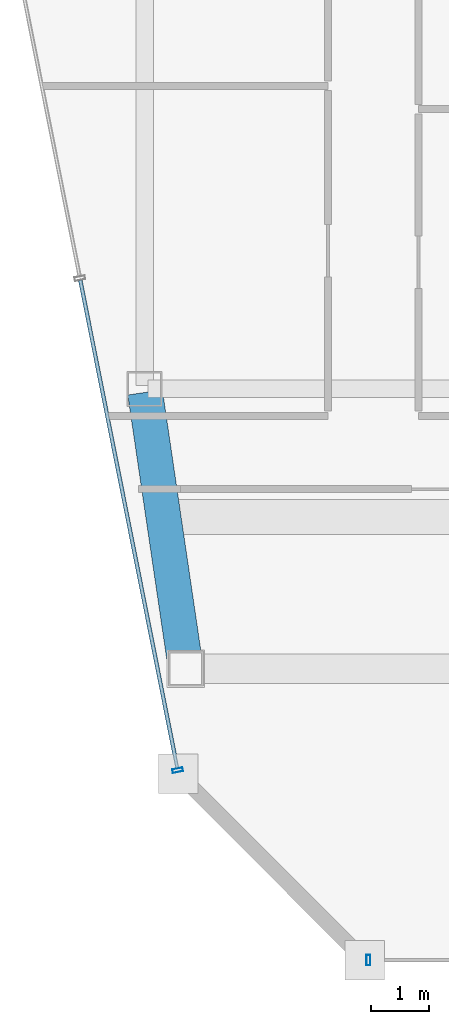
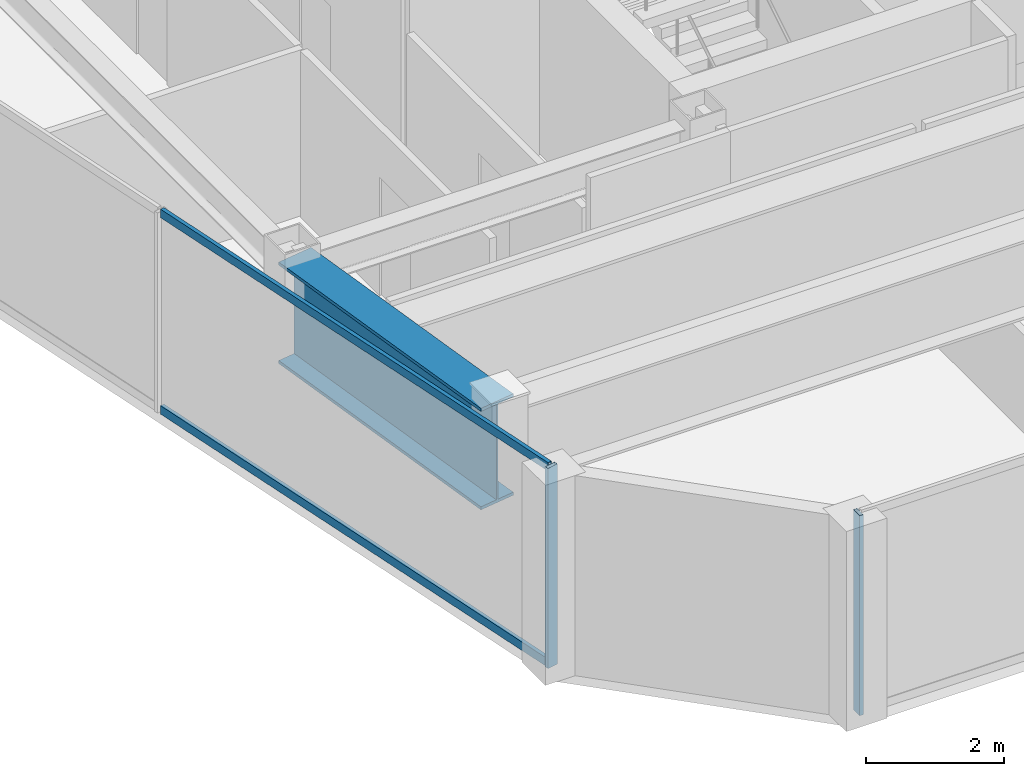
# One storey, part 3 of 24: 4 members, 1 beam, 2 elements without a shape of their own.
"""IFC4 building model written with IfcOpenShell, lengths in metres."""

import ifcopenshell
import ifcopenshell.guid

model = None  # the IFC model being written
_history = None  # IfcOwnerHistory: only IFC2X3 demands one
_inside = {}  # id of a spatial element -> (the spatial element, [elements in it])
_under = {}  # id of a project, library or spatial element -> (it, [spatial elements below it])
_declared = {}  # id of a project -> (the project, [libraries it declares])
_typed = {}  # id of a type object -> (the type object, [elements of that type])
_made_of = {}  # id of a material, layer set ... -> (it, [elements and type objects made of it])


def new_model(schema):
    """Start an empty IFC model of exactly this schema.

    Asked for "IFC4X3", IfcOpenShell would pick the latest addendum, in which some entities
    have other attributes; the version numbers below select the first issue.
    IFC2X3 requires an IfcOwnerHistory on every rooted entity: one is made here for all.
    """
    global model, _history
    if schema == "IFC4X3":
        model = ifcopenshell.file(schema_version=(4, 3, 0, 0))
    else:
        model = ifcopenshell.file(schema=schema)
    _inside.clear()
    _under.clear()
    _declared.clear()
    _typed.clear()
    _made_of.clear()
    _history = None
    if model.schema == "IFC2X3":
        org = make("IfcOrganization", Name="unknown")
        user = make(
            "IfcPersonAndOrganization",
            ThePerson=make("IfcPerson", FamilyName="unknown"),
            TheOrganization=org,
        )
        app = make(
            "IfcApplication",
            ApplicationDeveloper=org,
            Version="unknown",
            ApplicationFullName="unknown",
            ApplicationIdentifier="unknown",
        )
        _history = make(
            "IfcOwnerHistory",
            OwningUser=user,
            OwningApplication=app,
            ChangeAction="ADDED",
            CreationDate=0,
        )
    return model


def make(cls, **values):
    """One entity of the class cls with the attributes given. An attribute that is None is left unset."""
    return model.create_entity(
        cls, **{name: value for name, value in values.items() if value is not None}
    )


def rooted(cls, **values):
    """An entity with a GlobalId (a new one), such as an element, a storey or a relation."""
    return make(cls, GlobalId=ifcopenshell.guid.new(), OwnerHistory=_history, **values)


def si_unit(unit_type, name, prefix=None):
    """IfcSIUnit, for example si_unit("LENGTHUNIT", "METRE", prefix="MILLI")."""
    return make("IfcSIUnit", UnitType=unit_type, Prefix=prefix, Name=name)


def assignment(units):
    """IfcUnitAssignment: the units of a project."""
    return None if units is None else make("IfcUnitAssignment", Units=units)


def point(xyz):
    """IfcCartesianPoint."""
    return None if xyz is None else make("IfcCartesianPoint", Coordinates=xyz)


def direction(xyz):
    """IfcDirection."""
    return None if xyz is None else make("IfcDirection", DirectionRatios=xyz)


def frame(location, z_axis=None, x_axis=None):
    """IfcAxis2Placement3D, a coordinate frame: its origin and axes. An axis left out is left unset."""
    return make(
        "IfcAxis2Placement3D",
        Location=point(location),
        Axis=direction(z_axis),
        RefDirection=direction(x_axis),
    )


def frame_2d(location, x_axis=None):
    """IfcAxis2Placement2D, a coordinate frame in the plane: its origin and x axis."""
    return make(
        "IfcAxis2Placement2D", Location=point(location), RefDirection=direction(x_axis)
    )


def origin():
    """The frame at (0, 0, 0) with its axes left unset."""
    return frame((0.0, 0.0, 0.0))


def origin_2d():
    """The frame at (0, 0) in the plane with its x axis left unset."""
    return frame_2d((0.0, 0.0))


def place(relative_to, where):
    """IfcLocalPlacement: puts the frame where relative to a parent placement (None: the world)."""
    return make(
        "IfcLocalPlacement", PlacementRelTo=relative_to, RelativePlacement=where
    )


def context(
    kind, dimensions, precision=None, world=None, true_north=None, identifier=None
):
    """IfcGeometricRepresentationContext, for example the 3D "Model" context."""
    return make(
        "IfcGeometricRepresentationContext",
        ContextIdentifier=identifier,
        ContextType=kind,
        CoordinateSpaceDimension=dimensions,
        Precision=precision,
        WorldCoordinateSystem=world,
        TrueNorth=true_north,
    )


def subcontext(parent, identifier, kind, view, scale=None):
    """IfcGeometricRepresentationSubContext, for example "Body" below "Model"."""
    return make(
        "IfcGeometricRepresentationSubContext",
        ContextIdentifier=identifier,
        ContextType=kind,
        ParentContext=parent,
        TargetScale=scale,
        TargetView=view,
    )


def project(units=None, contexts=None):
    """IfcProject with its units and contexts."""
    return rooted(
        "IfcProject",
        Name="project",
        RepresentationContexts=contexts,
        UnitsInContext=assignment(units),
    )


def spatial(cls, under=None, at=None, **own):
    """A site, building, storey or space (cls), placed at a placement, below another one or the project."""
    s = rooted(cls, ObjectPlacement=at, **own)
    if under is not None:
        _under.setdefault(under.id(), (under, []))[1].append(s)
    return s


def profile(cls, at=None, kind="AREA", **sizes):
    """A parametric profile (cls). Its sizes go by their IFC names, for example OverallWidth=200.0."""
    return make(cls, ProfileType=kind, Position=at, **sizes)


def hollow_rectangle(**sizes):
    """IfcRectangleHollowProfileDef."""
    return profile("IfcRectangleHollowProfileDef", **sizes)


def i_section(**sizes):
    """IfcIShapeProfileDef."""
    return profile("IfcIShapeProfileDef", **sizes)


def extrude(swept, where, along, depth):
    """IfcExtrudedAreaSolid: the profile swept, set in the frame where, extruded along a direction by depth."""
    return make(
        "IfcExtrudedAreaSolid",
        SweptArea=swept,
        Position=where,
        ExtrudedDirection=direction(along),
        Depth=depth,
    )


def shape(context_of_items, identifier, shape_type, items):
    """IfcShapeRepresentation: the items that make up one representation, for example the "Body"."""
    return make(
        "IfcShapeRepresentation",
        ContextOfItems=context_of_items,
        RepresentationIdentifier=identifier,
        RepresentationType=shape_type,
        Items=items,
    )


def material(Name=None, Category=None):
    """IfcMaterial."""
    return make("IfcMaterial", Name=Name, Category=Category)


def material_profile(
    of_material, cross_section, Name=None, Category=None, Priority=None
):
    """IfcMaterialProfile: a cross section and its material."""
    return make(
        "IfcMaterialProfile",
        Name=Name,
        Material=of_material,
        Profile=cross_section,
        Priority=Priority,
        Category=Category,
    )


def profile_set(profiles, Name=None, composite=None):
    """IfcMaterialProfileSet."""
    return make(
        "IfcMaterialProfileSet",
        Name=Name,
        MaterialProfiles=profiles,
        CompositeProfile=composite,
    )


def made_of(thing, what):
    """Note that an element or type object is made of a material, layer set ...; save() writes the relation."""
    if what is not None:
        _made_of.setdefault(what.id(), (what, []))[1].append(thing)
    return thing


def type_object(cls, material=None, **own):
    """A type object (cls), such as IfcWallType, which elements share."""
    return made_of(rooted(cls, **own), material)


def element(
    cls,
    number,
    at=None,
    inside=None,
    cuts=None,
    type_object=None,
    material=None,
    context=None,
    identifier="Body",
    shape_type=None,
    held_by="IfcProductDefinitionShape",
    body=None,
    shapes=None,
    **own,
):
    """One element of the class cls, such as IfcWall. Its Tag is "e" and its number.

    at: its placement. inside: the storey or other place that contains it. cuts: it is an
    opening in that element (IfcRelVoidsElement). A single representation is given by context,
    identifier, shape_type and body (its items); several are given by shapes. held_by: the class
    of the entity that holds the representations. save() writes the other relations.
    """
    e = rooted(cls, Tag="e%d" % number, ObjectPlacement=at, **own)
    if body is not None:
        shapes = [shape(context, identifier, shape_type, body)]
    if shapes is not None:
        e.Representation = make(held_by, Representations=shapes)
    if inside is not None:
        _inside.setdefault(inside.id(), (inside, []))[1].append(e)
    if cuts is not None:
        rooted(
            "IfcRelVoidsElement", RelatingBuildingElement=cuts, RelatedOpeningElement=e
        )
    if type_object is not None:
        _typed.setdefault(type_object.id(), (type_object, []))[1].append(e)
    return made_of(e, material)


def aggregate(whole, parts):
    """IfcRelAggregates: a whole, such as a stair, and the parts it consists of."""
    return rooted("IfcRelAggregates", RelatingObject=whole, RelatedObjects=parts)


def save(model, path):
    """Write the relations noted so far, then the file.

    IfcRelAggregates (storeys below a building ...), IfcRelContainedInSpatialStructure (elements
    in a storey), IfcRelDefinesByType, IfcRelAssociatesMaterial and IfcRelDeclares: one each for
    every whole, place, type object, material and project.
    """
    for whole, parts in _under.values():
        aggregate(whole, parts)
    for where, things in _inside.values():
        rooted(
            "IfcRelContainedInSpatialStructure",
            RelatedElements=things,
            RelatingStructure=where,
        )
    for kind, things in _typed.values():
        rooted("IfcRelDefinesByType", RelatedObjects=things, RelatingType=kind)
    for what, things in _made_of.values():
        rooted("IfcRelAssociatesMaterial", RelatedObjects=things, RelatingMaterial=what)
    for by, libraries in _declared.values():
        rooted("IfcRelDeclares", RelatingContext=by, RelatedDefinitions=libraries)
    model.write(path)


model = new_model("IFC4")

# Units and contexts
model_context = context("Model", 3, precision=1e-05, world=origin(), true_north=direction((0.0, 1.0)))
body_context = subcontext(model_context, "Body", "Model", "MODEL_VIEW")
ifc_project = project(units=[si_unit("LENGTHUNIT", "METRE"), si_unit("AREAUNIT", "SQUARE_METRE"), si_unit("VOLUMEUNIT", "CUBIC_METRE"), si_unit("PLANEANGLEUNIT", "RADIAN"), si_unit("MASSUNIT", "GRAM", prefix="KILO")], contexts=[model_context])

# Site, building, storey
site_placement = place(None, origin())
site = spatial("IfcSite", under=ifc_project, at=site_placement, CompositionType="ELEMENT")
building_placement = place(site_placement, origin())
building = spatial("IfcBuilding", under=site, at=building_placement, Name="Saevonmaru Cultural Tower", CompositionType="ELEMENT")
storey_placement = place(building_placement, frame((0.0, 0.0, 306.60009765625)))
storey = spatial("IfcBuildingStorey", under=building, at=storey_placement, Name="L73", CompositionType="ELEMENT", Elevation=306.60009765625)

# Beam
ifc_material_1 = material(Name="Steel HSA600 (600 MPa)", Category="steel")
ifc_material_profile_1 = material_profile(ifc_material_1, i_section(OverallWidth=0.60009765625, OverallDepth=1.800048828125, WebThickness=0.028076171875, FlangeThickness=0.054931640625, at=origin_2d()), Name="PG-1800x600x28x55")
ifc_profile_set_1 = profile_set([ifc_material_profile_1], Name="Steel HSA600 (600 MPa)")
beam_type = type_object("IfcBeamType", Name="BM-TG-PG1800-EXT", PredefinedType="SPANDREL", material=ifc_profile_set_1)
beam_placement = place(storey_placement, frame((7.499267578125, 37.659423828125, 2.64990234375), z_axis=(-0.145912860028, 0.989297446312, 0.0), x_axis=(-0.989297446312, -0.145912860028, 0.0)))
element("IfcBeam", 1, at=beam_placement, inside=storey, type_object=beam_type, Name="L73 West Splayed Spandrel 1", PredefinedType="SPANDREL", context=body_context, shape_type="SweptSolid", body=[
    extrude(i_section(OverallWidth=0.60009765625, OverallDepth=1.800048828125, WebThickness=0.028076171875, FlangeThickness=0.054931640625, at=origin_2d()), origin(), (0.0, 0.0, 1.0), 4.731689453125),
])

# Curtain wall, member
ifc_material_2 = material(Name="Satin Bronze Anodised Aluminium", Category="aluminium")
curtain_wall_type = type_object("IfcCurtainWallType", Name="CW-TYP-B", PredefinedType="NOTDEFINED", material=ifc_material_2)
curtain_wall_1_placement = place(storey_placement, origin())
curtain_wall_1 = element("IfcCurtainWall", 2, at=curtain_wall_1_placement, inside=storey, type_object=curtain_wall_type, Name="L73 Unitised Curtain Wall E2", PredefinedType="NOTDEFINED")
ifc_material_profile_2 = material_profile(ifc_material_2, hollow_rectangle(XDim=0.06494140625, YDim=0.179931640625, WallThickness=0.00390625, at=origin_2d()), Name="ALU-MULL-180x65x4")
ifc_profile_set_2 = profile_set([ifc_material_profile_2], Name="Satin Bronze Anodised Aluminium")
member_type_1 = type_object("IfcMemberType", Name="ML-CW-180x65", PredefinedType="MULLION", material=ifc_profile_set_2)
member_1_placement = place(storey_placement, frame((10.639892578125, 32.60009765625, 0.0), z_axis=(0.0, 0.0, 1.0), x_axis=(1.0, 0.0, 0.0)))
member_1 = element("IfcMember", 3, at=member_1_placement, type_object=member_type_1, Name="CW-TW-L73-E2 mullion 1", PredefinedType="MULLION", context=body_context, shape_type="SweptSolid", body=[
    extrude(hollow_rectangle(XDim=0.06494140625, YDim=0.179931640625, WallThickness=0.00390625, at=origin_2d()), origin(), (0.0, 0.0, 1.0), 3.5498046875),
])
aggregate(curtain_wall_1, [member_1])

# Curtain wall, members
curtain_wall_2_placement = place(storey_placement, origin())
curtain_wall_2 = element("IfcCurtainWall", 4, at=curtain_wall_2_placement, inside=storey, type_object=curtain_wall_type, Name="L73 Unitised Curtain Wall E12", PredefinedType="NOTDEFINED")
member_2_placement = place(storey_placement, frame((7.368408203125, 35.85888671875, 0.0), z_axis=(0.0, 0.0, 1.0), x_axis=(0.195005484813, -0.980802151758, 0.0)))
member_2 = element("IfcMember", 5, at=member_2_placement, type_object=member_type_1, Name="CW-TW-L73-E12 mullion 3", PredefinedType="MULLION", context=body_context, shape_type="SweptSolid", body=[
    extrude(hollow_rectangle(XDim=0.06494140625, YDim=0.179931640625, WallThickness=0.00390625, at=origin_2d()), origin(), (0.0, 0.0, 1.0), 3.5498046875),
])
ifc_material_profile_3 = material_profile(ifc_material_2, hollow_rectangle(XDim=0.06494140625, YDim=0.14990234375, WallThickness=0.00390625, at=origin_2d()), Name="ALU-TRAN-150x65x4")
ifc_profile_set_3 = profile_set([ifc_material_profile_3], Name="Satin Bronze Anodised Aluminium")
member_type_2 = type_object("IfcMemberType", Name="TR-CW-150x65", PredefinedType="USERDEFINED", material=ifc_profile_set_3)
member_3_placement = place(storey_placement, frame((5.6962890625, 44.26806640625, 0.032470703125), z_axis=(0.195022161716, -0.980798835868, 0.0), x_axis=(0.980798835868, 0.195022161716, 0.0)))
member_3 = element("IfcMember", 6, at=member_3_placement, type_object=member_type_2, Name="CW-TW-L73-E12 transom 2.1", ObjectType="TRANSOM", PredefinedType="USERDEFINED", context=body_context, shape_type="SweptSolid", body=[
    extrude(hollow_rectangle(XDim=0.06494140625, YDim=0.14990234375, WallThickness=0.00390625, at=origin_2d()), origin(), (0.0, 0.0, 1.0), 8.54150390625),
])
member_4_placement = place(storey_placement, frame((5.6962890625, 44.26806640625, 3.517333984375), z_axis=(0.195022161716, -0.980798835868, 0.0), x_axis=(0.980798835868, 0.195022161716, 0.0)))
member_4 = element("IfcMember", 7, at=member_4_placement, type_object=member_type_2, Name="CW-TW-L73-E12 transom 2.2", ObjectType="TRANSOM", PredefinedType="USERDEFINED", context=body_context, shape_type="SweptSolid", body=[
    extrude(hollow_rectangle(XDim=0.06494140625, YDim=0.14990234375, WallThickness=0.00390625, at=origin_2d()), origin(), (0.0, 0.0, 1.0), 8.54150390625),
])
aggregate(curtain_wall_2, [member_2, member_3, member_4])

save(model, "model.ifc")
